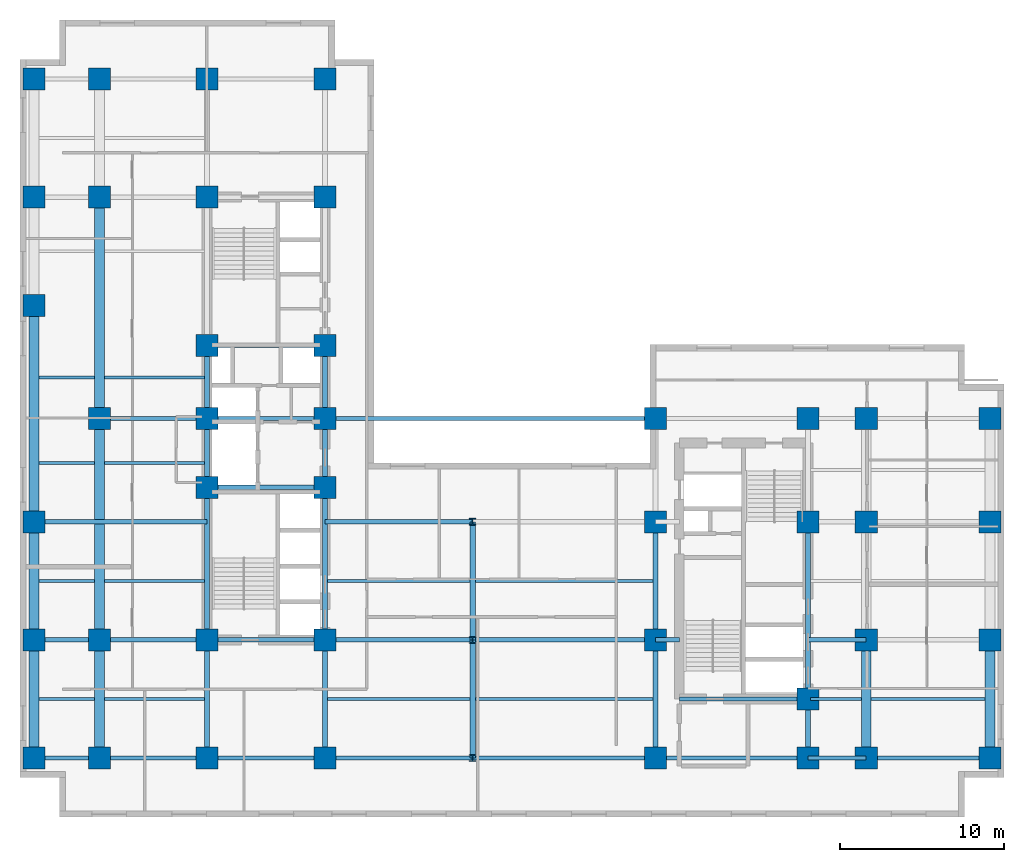
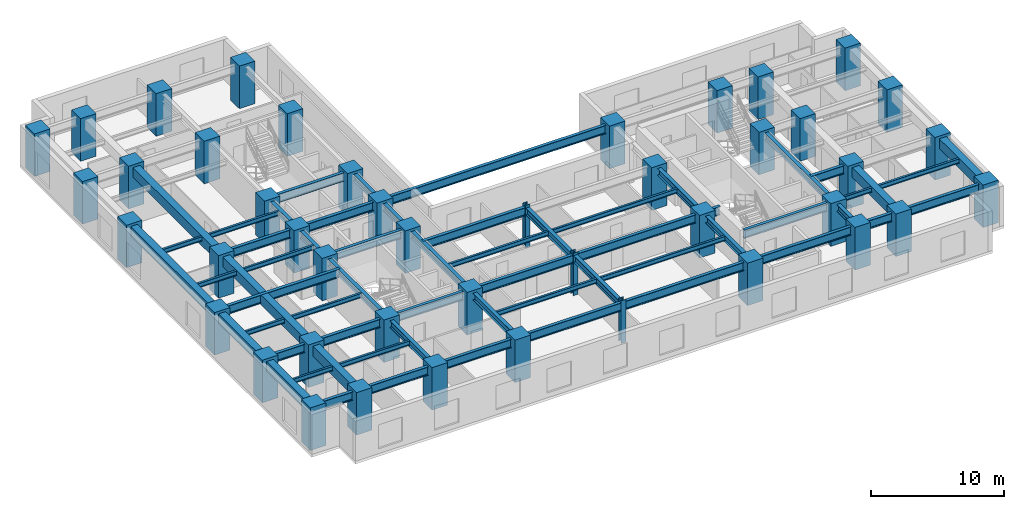
# One storey, part 1 of 10: 59 beams, 44 columns.
"""IFC4 building model written with IfcOpenShell, lengths in metres."""

from ifc_helpers import new_model, entity, si_unit, converted_unit, direction, frame, origin_with_axes, origin_2d_with_axis, place, context, subcontext, project, spatial, rectangle, i_section, extrude, material, material_profile, profile_set, type_object, element, save


model = new_model("IFC4")

# Units and contexts
model_context = context("Model", 3, precision=1e-05, world=origin_with_axes(), true_north=direction((0.0, 1.0)))
body_context = subcontext(model_context, "Body", "Model", "MODEL_VIEW")
ifc_project = project(units=[si_unit("LENGTHUNIT", "METRE"), si_unit("AREAUNIT", "SQUARE_METRE"), si_unit("VOLUMEUNIT", "CUBIC_METRE"), converted_unit("PLANEANGLEUNIT", "DEGREE", entity("IfcPlaneAngleMeasure", 0.017453292519943295), si_unit("PLANEANGLEUNIT", "RADIAN"), dimensions=[0, 0, 0, 0, 0, 0, 0]), si_unit("MASSUNIT", "GRAM", prefix="KILO"), si_unit("THERMODYNAMICTEMPERATUREUNIT", "KELVIN")], contexts=[model_context])

# Site, building, storey
site_placement = place(None, origin_with_axes())
site = spatial("IfcSite", under=ifc_project, at=site_placement, CompositionType="ELEMENT")
building_placement = place(site_placement, origin_with_axes())
building = spatial("IfcBuilding", under=site, at=building_placement, Name="Varnlund Millrace Tower", CompositionType="ELEMENT")
storey_placement = place(building_placement, frame((0.0, 0.0, 48.3), z_axis=(0.0, 0.0, 1.0), x_axis=(1.0, 0.0, 0.0)))
storey = spatial("IfcBuildingStorey", under=building, at=storey_placement, Name="L11", CompositionType="ELEMENT", Elevation=48.3)

# Columns
ifc_material_1 = material(Name="Steel ASTM A913 Grade 65", Category="steel")
ifc_material_profile_1 = material_profile(ifc_material_1, i_section(OverallWidth=0.406, OverallDepth=0.416, WebThickness=0.0298, FlangeThickness=0.048, FilletRadius=0.022, at=origin_2d_with_axis()), Name="Steel ASTM A913 Grade 65")
ifc_profile_set_1 = profile_set([ifc_material_profile_1], Name="Steel ASTM A913 Grade 65")
column_type_1 = type_object("IfcColumnType", Name="Type-Col-Int-W14X257", PredefinedType="COLUMN", material=ifc_profile_set_1)
for number, where, z_axis, x_axis, name in (
    (1, (27.6, 3.6, 0.0), (0.0, 0.0, 1.0), (1.0, 0.0, 0.0), "Type-Col-Int-W14X257"),
    (2, (27.6, 10.8, 0.0), (0.0, 0.0, 1.0), (1.0, 0.0, 0.0), "Type-Col-Int-W14X257"),
    (3, (27.6, 18.0, 0.0), (0.0, 0.0, 1.0), (1.0, 0.0, 0.0), "Type-Col-Int-W14X257"),
):
    element("IfcColumn", number, at=place(storey_placement, frame(where, z_axis=z_axis, x_axis=x_axis)), inside=storey, type_object=column_type_1, Name=name, PredefinedType="COLUMN", context=body_context, shape_type="SweptSolid", body=[
        extrude(i_section(OverallWidth=0.406, OverallDepth=0.416, WebThickness=0.0298, FlangeThickness=0.048, FilletRadius=0.022, at=origin_2d_with_axis()), origin_with_axes(), (0.0, 0.0, 1.0), 3.9),
    ])
ifc_material_2 = material(Name="Concrete C80/95", Category="concrete")
ifc_material_profile_2 = material_profile(ifc_material_2, rectangle(XDim=1.35, YDim=1.35, at=origin_2d_with_axis()), Name="Concrete C80/95")
ifc_profile_set_2 = profile_set([ifc_material_profile_2], Name="Concrete C80/95")
column_type_2 = type_object("IfcColumnType", Name="Type-Col-RC1350-C80", PredefinedType="COLUMN", material=ifc_profile_set_2)
for number, where, z_axis, x_axis, name in (
    (4, (11.4, 3.6, 0.0), (0.0, 0.0, 1.0), (1.0, 0.0, 0.0), "Type-Col-RC1350-C80"),
    (5, (11.4, 10.8, 0.0), (0.0, 0.0, 1.0), (1.0, 0.0, 0.0), "Type-Col-RC1350-C80"),
    (6, (11.4, 20.1, 0.0), (0.0, 0.0, 1.0), (1.0, 0.0, 0.0), "Type-Col-RC1350-C80"),
    (7, (11.4, 24.3, 0.0), (0.0, 0.0, 1.0), (1.0, 0.0, 0.0), "Type-Col-RC1350-C80"),
    (8, (11.4, 28.75, 0.0), (0.0, 0.0, 1.0), (1.0, 0.0, 0.0), "Type-Col-RC1350-C80"),
    (9, (11.4, 37.8, 0.0), (0.0, 0.0, 1.0), (1.0, 0.0, 0.0), "Type-Col-RC1350-C80"),
    (10, (11.4, 45.0, 0.0), (0.0, 0.0, 1.0), (1.0, 0.0, 0.0), "Type-Col-RC1350-C80"),
    (11, (18.6, 3.6, 0.0), (0.0, 0.0, 1.0), (1.0, 0.0, 0.0), "Type-Col-RC1350-C80"),
    (12, (18.6, 10.8, 0.0), (0.0, 0.0, 1.0), (1.0, 0.0, 0.0), "Type-Col-RC1350-C80"),
    (13, (18.6, 20.1, 0.0), (0.0, 0.0, 1.0), (1.0, 0.0, 0.0), "Type-Col-RC1350-C80"),
    (14, (18.6, 24.3, 0.0), (0.0, 0.0, 1.0), (1.0, 0.0, 0.0), "Type-Col-RC1350-C80"),
    (15, (18.6, 28.75, 0.0), (0.0, 0.0, 1.0), (1.0, 0.0, 0.0), "Type-Col-RC1350-C80"),
    (16, (18.6, 37.8, 0.0), (0.0, 0.0, 1.0), (1.0, 0.0, 0.0), "Type-Col-RC1350-C80"),
    (17, (18.6, 45.0, 0.0), (0.0, 0.0, 1.0), (1.0, 0.0, 0.0), "Type-Col-RC1350-C80"),
    (18, (4.85, 3.6, 0.0), (0.0, 0.0, 1.0), (1.0, 0.0, 0.0), "Type-Col-RC1350-C80"),
    (19, (4.85, 10.8, 0.0), (0.0, 0.0, 1.0), (1.0, 0.0, 0.0), "Type-Col-RC1350-C80"),
    (20, (4.85, 24.3, 0.0), (0.0, 0.0, 1.0), (1.0, 0.0, 0.0), "Type-Col-RC1350-C80"),
    (21, (4.85, 37.8, 0.0), (0.0, 0.0, 1.0), (1.0, 0.0, 0.0), "Type-Col-RC1350-C80"),
    (22, (4.85, 45.0, 0.0), (0.0, 0.0, 1.0), (1.0, 0.0, 0.0), "Type-Col-RC1350-C80"),
    (23, (0.85, 3.6, 0.0), (0.0, 0.0, 1.0), (1.0, 0.0, 0.0), "Type-Col-RC1350-C80"),
    (24, (0.85, 10.8, 0.0), (0.0, 0.0, 1.0), (1.0, 0.0, 0.0), "Type-Col-RC1350-C80"),
    (25, (0.85, 18.0, 0.0), (0.0, 0.0, 1.0), (1.0, 0.0, 0.0), "Type-Col-RC1350-C80"),
    (26, (0.85, 31.2, 0.0), (0.0, 0.0, 1.0), (1.0, 0.0, 0.0), "Type-Col-RC1350-C80"),
    (27, (0.85, 37.8, 0.0), (0.0, 0.0, 1.0), (1.0, 0.0, 0.0), "Type-Col-RC1350-C80"),
    (28, (0.85, 45.0, 0.0), (0.0, 0.0, 1.0), (1.0, 0.0, 0.0), "Type-Col-RC1350-C80"),
    (29, (38.75, 3.6, 0.0), (0.0, 0.0, 1.0), (1.0, 0.0, 0.0), "Type-Col-RC1350-C80"),
    (30, (38.75, 10.8, 0.0), (0.0, 0.0, 1.0), (1.0, 0.0, 0.0), "Type-Col-RC1350-C80"),
    (31, (38.75, 18.0, 0.0), (0.0, 0.0, 1.0), (1.0, 0.0, 0.0), "Type-Col-RC1350-C80"),
    (32, (38.75, 24.3, 0.0), (0.0, 0.0, 1.0), (1.0, 0.0, 0.0), "Type-Col-RC1350-C80"),
    (33, (48.05, 3.6, 0.0), (0.0, 0.0, 1.0), (1.0, 0.0, 0.0), "Type-Col-RC1350-C80"),
    (34, (48.05, 7.2, 0.0), (0.0, 0.0, 1.0), (1.0, 0.0, 0.0), "Type-Col-RC1350-C80"),
    (35, (48.05, 18.0, 0.0), (0.0, 0.0, 1.0), (1.0, 0.0, 0.0), "Type-Col-RC1350-C80"),
    (36, (48.05, 24.3, 0.0), (0.0, 0.0, 1.0), (1.0, 0.0, 0.0), "Type-Col-RC1350-C80"),
    (37, (51.6, 3.6, 0.0), (0.0, 0.0, 1.0), (1.0, 0.0, 0.0), "Type-Col-RC1350-C80"),
    (38, (51.6, 10.8, 0.0), (0.0, 0.0, 1.0), (1.0, 0.0, 0.0), "Type-Col-RC1350-C80"),
    (39, (51.6, 18.0, 0.0), (0.0, 0.0, 1.0), (1.0, 0.0, 0.0), "Type-Col-RC1350-C80"),
    (40, (51.6, 24.3, 0.0), (0.0, 0.0, 1.0), (1.0, 0.0, 0.0), "Type-Col-RC1350-C80"),
    (41, (59.15, 3.6, 0.0), (0.0, 0.0, 1.0), (1.0, 0.0, 0.0), "Type-Col-RC1350-C80"),
    (42, (59.15, 10.8, 0.0), (0.0, 0.0, 1.0), (1.0, 0.0, 0.0), "Type-Col-RC1350-C80"),
    (43, (59.15, 18.0, 0.0), (0.0, 0.0, 1.0), (1.0, 0.0, 0.0), "Type-Col-RC1350-C80"),
    (44, (59.15, 24.3, 0.0), (0.0, 0.0, 1.0), (1.0, 0.0, 0.0), "Type-Col-RC1350-C80"),
):
    element("IfcColumn", number, at=place(storey_placement, frame(where, z_axis=z_axis, x_axis=x_axis)), inside=storey, type_object=column_type_2, Name=name, PredefinedType="COLUMN", context=body_context, shape_type="SweptSolid", body=[
        extrude(rectangle(XDim=1.35, YDim=1.35, at=origin_2d_with_axis()), origin_with_axes(), (0.0, 0.0, 1.0), 3.9),
    ])

# Beams
ifc_material_3 = material(Name="Steel ASTM A992 Grade 50", Category="steel")
ifc_material_profile_3 = material_profile(ifc_material_3, i_section(OverallWidth=0.328, OverallDepth=0.628, WebThickness=0.0165, FlangeThickness=0.0277, FilletRadius=0.018, at=origin_2d_with_axis()), Name="Steel ASTM A992 Grade 50")
ifc_profile_set_3 = profile_set([ifc_material_profile_3], Name="Steel ASTM A992 Grade 50")
beam_type_1 = type_object("IfcBeamType", Name="Type-Girder-W24X146", PredefinedType="USERDEFINED", material=ifc_profile_set_3)
beam_1_placement = place(storey_placement, frame((11.4, 3.6, 3.346), z_axis=(0.0, 1.0, 0.0), x_axis=(-1.0, 0.0, 0.0)))
element("IfcBeam", 45, at=beam_1_placement, inside=storey, type_object=beam_type_1, Name="Type-Girder-W24X146", ObjectType="GIRDER", PredefinedType="USERDEFINED", context=body_context, shape_type="SweptSolid", body=[
    extrude(i_section(OverallWidth=0.328, OverallDepth=0.628, WebThickness=0.0165, FlangeThickness=0.0277, FilletRadius=0.018, at=origin_2d_with_axis()), origin_with_axes(), (0.0, 0.0, 1.0), 7.2),
])
beam_2_placement = place(storey_placement, frame((11.4, 10.8, 3.346), z_axis=(0.0, 1.0, 0.0), x_axis=(-1.0, 0.0, 0.0)))
element("IfcBeam", 46, at=beam_2_placement, inside=storey, type_object=beam_type_1, Name="Type-Girder-W24X146", ObjectType="GIRDER", PredefinedType="USERDEFINED", context=body_context, shape_type="SweptSolid", body=[
    extrude(i_section(OverallWidth=0.328, OverallDepth=0.628, WebThickness=0.0165, FlangeThickness=0.0277, FilletRadius=0.018, at=origin_2d_with_axis()), origin_with_axes(), (0.0, 0.0, 1.0), 9.3),
])
beam_3_placement = place(storey_placement, frame((11.4, 20.1, 3.346), z_axis=(0.0, 1.0, 0.0), x_axis=(-1.0, 0.0, 0.0)))
element("IfcBeam", 47, at=beam_3_placement, inside=storey, type_object=beam_type_1, Name="Type-Girder-W24X146", ObjectType="GIRDER", PredefinedType="USERDEFINED", context=body_context, shape_type="SweptSolid", body=[
    extrude(i_section(OverallWidth=0.328, OverallDepth=0.628, WebThickness=0.0165, FlangeThickness=0.0277, FilletRadius=0.018, at=origin_2d_with_axis()), origin_with_axes(), (0.0, 0.0, 1.0), 4.2),
])
beam_4_placement = place(storey_placement, frame((11.4, 24.3, 3.346), z_axis=(0.0, 1.0, 0.0), x_axis=(-1.0, 0.0, 0.0)))
element("IfcBeam", 48, at=beam_4_placement, inside=storey, type_object=beam_type_1, Name="Type-Girder-W24X146", ObjectType="GIRDER", PredefinedType="USERDEFINED", context=body_context, shape_type="SweptSolid", body=[
    extrude(i_section(OverallWidth=0.328, OverallDepth=0.628, WebThickness=0.0165, FlangeThickness=0.0277, FilletRadius=0.018, at=origin_2d_with_axis()), origin_with_axes(), (0.0, 0.0, 1.0), 4.45),
])
beam_5_placement = place(storey_placement, frame((18.6, 3.6, 3.346), z_axis=(0.0, 1.0, 0.0), x_axis=(-1.0, 0.0, 0.0)))
element("IfcBeam", 49, at=beam_5_placement, inside=storey, type_object=beam_type_1, Name="Type-Girder-W24X146", ObjectType="GIRDER", PredefinedType="USERDEFINED", context=body_context, shape_type="SweptSolid", body=[
    extrude(i_section(OverallWidth=0.328, OverallDepth=0.628, WebThickness=0.0165, FlangeThickness=0.0277, FilletRadius=0.018, at=origin_2d_with_axis()), origin_with_axes(), (0.0, 0.0, 1.0), 7.2),
])
beam_6_placement = place(storey_placement, frame((18.6, 10.8, 3.346), z_axis=(0.0, 1.0, 0.0), x_axis=(-1.0, 0.0, 0.0)))
element("IfcBeam", 50, at=beam_6_placement, inside=storey, type_object=beam_type_1, Name="Type-Girder-W24X146", ObjectType="GIRDER", PredefinedType="USERDEFINED", context=body_context, shape_type="SweptSolid", body=[
    extrude(i_section(OverallWidth=0.328, OverallDepth=0.628, WebThickness=0.0165, FlangeThickness=0.0277, FilletRadius=0.018, at=origin_2d_with_axis()), origin_with_axes(), (0.0, 0.0, 1.0), 9.3),
])
beam_7_placement = place(storey_placement, frame((18.6, 20.1, 3.346), z_axis=(0.0, 1.0, 0.0), x_axis=(-1.0, 0.0, 0.0)))
element("IfcBeam", 51, at=beam_7_placement, inside=storey, type_object=beam_type_1, Name="Type-Girder-W24X146", ObjectType="GIRDER", PredefinedType="USERDEFINED", context=body_context, shape_type="SweptSolid", body=[
    extrude(i_section(OverallWidth=0.328, OverallDepth=0.628, WebThickness=0.0165, FlangeThickness=0.0277, FilletRadius=0.018, at=origin_2d_with_axis()), origin_with_axes(), (0.0, 0.0, 1.0), 4.2),
])
beam_8_placement = place(storey_placement, frame((18.6, 24.3, 3.346), z_axis=(0.0, 1.0, 0.0), x_axis=(-1.0, 0.0, 0.0)))
element("IfcBeam", 52, at=beam_8_placement, inside=storey, type_object=beam_type_1, Name="Type-Girder-W24X146", ObjectType="GIRDER", PredefinedType="USERDEFINED", context=body_context, shape_type="SweptSolid", body=[
    extrude(i_section(OverallWidth=0.328, OverallDepth=0.628, WebThickness=0.0165, FlangeThickness=0.0277, FilletRadius=0.018, at=origin_2d_with_axis()), origin_with_axes(), (0.0, 0.0, 1.0), 4.45),
])
for number, where, z_axis, x_axis, name in (
    (53, (27.6, 3.6, 3.346), (0.0, 1.0, 0.0), (-1.0, 0.0, 0.0), "Type-Girder-W24X146"),
    (54, (27.6, 10.8, 3.346), (0.0, 1.0, 0.0), (-1.0, 0.0, 0.0), "Type-Girder-W24X146"),
    (55, (38.75, 3.6, 3.346), (0.0, 1.0, 0.0), (-1.0, 0.0, 0.0), "Type-Girder-W24X146"),
    (56, (38.75, 10.8, 3.346), (0.0, 1.0, 0.0), (-1.0, 0.0, 0.0), "Type-Girder-W24X146"),
):
    element("IfcBeam", number, at=place(storey_placement, frame(where, z_axis=z_axis, x_axis=x_axis)), inside=storey, type_object=beam_type_1, Name=name, ObjectType="GIRDER", PredefinedType="USERDEFINED", context=body_context, shape_type="SweptSolid", body=[
        extrude(i_section(OverallWidth=0.328, OverallDepth=0.628, WebThickness=0.0165, FlangeThickness=0.0277, FilletRadius=0.018, at=origin_2d_with_axis()), origin_with_axes(), (0.0, 0.0, 1.0), 7.2),
    ])
beam_9_placement = place(storey_placement, frame((48.05, 3.6, 3.346), z_axis=(0.0, 1.0, 0.0), x_axis=(-1.0, 0.0, 0.0)))
element("IfcBeam", 57, at=beam_9_placement, inside=storey, type_object=beam_type_1, Name="Type-Girder-W24X146", ObjectType="GIRDER", PredefinedType="USERDEFINED", context=body_context, shape_type="SweptSolid", body=[
    extrude(i_section(OverallWidth=0.328, OverallDepth=0.628, WebThickness=0.0165, FlangeThickness=0.0277, FilletRadius=0.018, at=origin_2d_with_axis()), origin_with_axes(), (0.0, 0.0, 1.0), 3.6),
])
beam_10_placement = place(storey_placement, frame((48.05, 7.2, 3.346), z_axis=(0.0, 1.0, 0.0), x_axis=(-1.0, 0.0, 0.0)))
element("IfcBeam", 58, at=beam_10_placement, inside=storey, type_object=beam_type_1, Name="Type-Girder-W24X146", ObjectType="GIRDER", PredefinedType="USERDEFINED", context=body_context, shape_type="SweptSolid", body=[
    extrude(i_section(OverallWidth=0.328, OverallDepth=0.628, WebThickness=0.0165, FlangeThickness=0.0277, FilletRadius=0.018, at=origin_2d_with_axis()), origin_with_axes(), (0.0, 0.0, 1.0), 10.8),
])
ifc_material_profile_4 = material_profile(ifc_material_3, i_section(OverallWidth=0.266, OverallDepth=0.779, WebThickness=0.0165, FlangeThickness=0.03, FilletRadius=0.02, at=origin_2d_with_axis()), Name="Steel ASTM A992 Grade 50")
ifc_profile_set_4 = profile_set([ifc_material_profile_4], Name="Steel ASTM A992 Grade 50")
beam_type_2 = type_object("IfcBeamType", Name="Type-Girder-W30X148", PredefinedType="USERDEFINED", material=ifc_profile_set_4)
beam_11_placement = place(storey_placement, frame((0.85, 3.6, 3.2705), z_axis=(1.0, 0.0, 0.0), x_axis=(0.0, 1.0, 0.0)))
element("IfcBeam", 59, at=beam_11_placement, inside=storey, type_object=beam_type_2, Name="Type-Girder-W30X148", ObjectType="GIRDER", PredefinedType="USERDEFINED", context=body_context, shape_type="SweptSolid", body=[
    extrude(i_section(OverallWidth=0.266, OverallDepth=0.779, WebThickness=0.0165, FlangeThickness=0.03, FilletRadius=0.02, at=origin_2d_with_axis()), origin_with_axes(), (0.0, 0.0, 1.0), 4.0),
])
beam_12_placement = place(storey_placement, frame((4.85, 3.6, 3.2705), z_axis=(1.0, 0.0, 0.0), x_axis=(0.0, 1.0, 0.0)))
element("IfcBeam", 60, at=beam_12_placement, inside=storey, type_object=beam_type_2, Name="Type-Girder-W30X148", ObjectType="GIRDER", PredefinedType="USERDEFINED", context=body_context, shape_type="SweptSolid", body=[
    extrude(i_section(OverallWidth=0.266, OverallDepth=0.779, WebThickness=0.0165, FlangeThickness=0.03, FilletRadius=0.02, at=origin_2d_with_axis()), origin_with_axes(), (0.0, 0.0, 1.0), 6.55),
])
beam_13_placement = place(storey_placement, frame((11.4, 3.6, 3.2705), z_axis=(1.0, 0.0, 0.0), x_axis=(0.0, 1.0, 0.0)))
element("IfcBeam", 61, at=beam_13_placement, inside=storey, type_object=beam_type_2, Name="Type-Girder-W30X148", ObjectType="GIRDER", PredefinedType="USERDEFINED", context=body_context, shape_type="SweptSolid", body=[
    extrude(i_section(OverallWidth=0.266, OverallDepth=0.779, WebThickness=0.0165, FlangeThickness=0.03, FilletRadius=0.02, at=origin_2d_with_axis()), origin_with_axes(), (0.0, 0.0, 1.0), 7.2),
])
beam_14_placement = place(storey_placement, frame((18.6, 3.6, 3.2705), z_axis=(1.0, 0.0, 0.0), x_axis=(0.0, 1.0, 0.0)))
element("IfcBeam", 62, at=beam_14_placement, inside=storey, type_object=beam_type_2, Name="Type-Girder-W30X148", ObjectType="GIRDER", PredefinedType="USERDEFINED", context=body_context, shape_type="SweptSolid", body=[
    extrude(i_section(OverallWidth=0.266, OverallDepth=0.779, WebThickness=0.0165, FlangeThickness=0.03, FilletRadius=0.02, at=origin_2d_with_axis()), origin_with_axes(), (0.0, 0.0, 1.0), 9.0),
])
beam_15_placement = place(storey_placement, frame((27.6, 3.6, 3.2705), z_axis=(1.0, 0.0, 0.0), x_axis=(0.0, 1.0, 0.0)))
element("IfcBeam", 63, at=beam_15_placement, inside=storey, type_object=beam_type_2, Name="Type-Girder-W30X148", ObjectType="GIRDER", PredefinedType="USERDEFINED", context=body_context, shape_type="SweptSolid", body=[
    extrude(i_section(OverallWidth=0.266, OverallDepth=0.779, WebThickness=0.0165, FlangeThickness=0.03, FilletRadius=0.02, at=origin_2d_with_axis()), origin_with_axes(), (0.0, 0.0, 1.0), 11.15),
])
beam_16_placement = place(storey_placement, frame((38.75, 3.6, 3.2705), z_axis=(1.0, 0.0, 0.0), x_axis=(0.0, 1.0, 0.0)))
element("IfcBeam", 64, at=beam_16_placement, inside=storey, type_object=beam_type_2, Name="Type-Girder-W30X148", ObjectType="GIRDER", PredefinedType="USERDEFINED", context=body_context, shape_type="SweptSolid", body=[
    extrude(i_section(OverallWidth=0.266, OverallDepth=0.779, WebThickness=0.0165, FlangeThickness=0.03, FilletRadius=0.02, at=origin_2d_with_axis()), origin_with_axes(), (0.0, 0.0, 1.0), 9.3),
])
beam_17_placement = place(storey_placement, frame((48.05, 3.6, 3.2705), z_axis=(1.0, 0.0, 0.0), x_axis=(0.0, 1.0, 0.0)))
element("IfcBeam", 65, at=beam_17_placement, inside=storey, type_object=beam_type_2, Name="Type-Girder-W30X148", ObjectType="GIRDER", PredefinedType="USERDEFINED", context=body_context, shape_type="SweptSolid", body=[
    extrude(i_section(OverallWidth=0.266, OverallDepth=0.779, WebThickness=0.0165, FlangeThickness=0.03, FilletRadius=0.02, at=origin_2d_with_axis()), origin_with_axes(), (0.0, 0.0, 1.0), 3.55),
])
beam_18_placement = place(storey_placement, frame((51.6, 3.6, 3.2705), z_axis=(1.0, 0.0, 0.0), x_axis=(0.0, 1.0, 0.0)))
element("IfcBeam", 66, at=beam_18_placement, inside=storey, type_object=beam_type_2, Name="Type-Girder-W30X148", ObjectType="GIRDER", PredefinedType="USERDEFINED", context=body_context, shape_type="SweptSolid", body=[
    extrude(i_section(OverallWidth=0.266, OverallDepth=0.779, WebThickness=0.0165, FlangeThickness=0.03, FilletRadius=0.02, at=origin_2d_with_axis()), origin_with_axes(), (0.0, 0.0, 1.0), 7.55),
])
beam_19_placement = place(storey_placement, frame((40.2, 7.2, 3.2705), z_axis=(1.0, 0.0, 0.0), x_axis=(0.0, 1.0, 0.0)))
element("IfcBeam", 67, at=beam_19_placement, inside=storey, type_object=beam_type_2, Name="Type-Girder-W30X148", ObjectType="GIRDER", PredefinedType="USERDEFINED", context=body_context, shape_type="SweptSolid", body=[
    extrude(i_section(OverallWidth=0.266, OverallDepth=0.779, WebThickness=0.0165, FlangeThickness=0.03, FilletRadius=0.02, at=origin_2d_with_axis()), origin_with_axes(), (0.0, 0.0, 1.0), 7.85),
])
beam_20_placement = place(storey_placement, frame((0.85, 10.8, 3.2705), z_axis=(1.0, 0.0, 0.0), x_axis=(0.0, 1.0, 0.0)))
element("IfcBeam", 68, at=beam_20_placement, inside=storey, type_object=beam_type_2, Name="Type-Girder-W30X148", ObjectType="GIRDER", PredefinedType="USERDEFINED", context=body_context, shape_type="SweptSolid", body=[
    extrude(i_section(OverallWidth=0.266, OverallDepth=0.779, WebThickness=0.0165, FlangeThickness=0.03, FilletRadius=0.02, at=origin_2d_with_axis()), origin_with_axes(), (0.0, 0.0, 1.0), 4.0),
])
beam_21_placement = place(storey_placement, frame((4.85, 10.8, 3.2705), z_axis=(1.0, 0.0, 0.0), x_axis=(0.0, 1.0, 0.0)))
element("IfcBeam", 69, at=beam_21_placement, inside=storey, type_object=beam_type_2, Name="Type-Girder-W30X148", ObjectType="GIRDER", PredefinedType="USERDEFINED", context=body_context, shape_type="SweptSolid", body=[
    extrude(i_section(OverallWidth=0.266, OverallDepth=0.779, WebThickness=0.0165, FlangeThickness=0.03, FilletRadius=0.02, at=origin_2d_with_axis()), origin_with_axes(), (0.0, 0.0, 1.0), 6.55),
])
beam_22_placement = place(storey_placement, frame((11.4, 10.8, 3.2705), z_axis=(1.0, 0.0, 0.0), x_axis=(0.0, 1.0, 0.0)))
element("IfcBeam", 70, at=beam_22_placement, inside=storey, type_object=beam_type_2, Name="Type-Girder-W30X148", ObjectType="GIRDER", PredefinedType="USERDEFINED", context=body_context, shape_type="SweptSolid", body=[
    extrude(i_section(OverallWidth=0.266, OverallDepth=0.779, WebThickness=0.0165, FlangeThickness=0.03, FilletRadius=0.02, at=origin_2d_with_axis()), origin_with_axes(), (0.0, 0.0, 1.0), 7.2),
])
beam_23_placement = place(storey_placement, frame((18.6, 10.8, 3.2705), z_axis=(1.0, 0.0, 0.0), x_axis=(0.0, 1.0, 0.0)))
element("IfcBeam", 71, at=beam_23_placement, inside=storey, type_object=beam_type_2, Name="Type-Girder-W30X148", ObjectType="GIRDER", PredefinedType="USERDEFINED", context=body_context, shape_type="SweptSolid", body=[
    extrude(i_section(OverallWidth=0.266, OverallDepth=0.779, WebThickness=0.0165, FlangeThickness=0.03, FilletRadius=0.02, at=origin_2d_with_axis()), origin_with_axes(), (0.0, 0.0, 1.0), 9.0),
])
beam_24_placement = place(storey_placement, frame((27.6, 10.8, 3.2705), z_axis=(1.0, 0.0, 0.0), x_axis=(0.0, 1.0, 0.0)))
element("IfcBeam", 72, at=beam_24_placement, inside=storey, type_object=beam_type_2, Name="Type-Girder-W30X148", ObjectType="GIRDER", PredefinedType="USERDEFINED", context=body_context, shape_type="SweptSolid", body=[
    extrude(i_section(OverallWidth=0.266, OverallDepth=0.779, WebThickness=0.0165, FlangeThickness=0.03, FilletRadius=0.02, at=origin_2d_with_axis()), origin_with_axes(), (0.0, 0.0, 1.0), 11.15),
])
beam_25_placement = place(storey_placement, frame((38.75, 10.8, 3.2705), z_axis=(1.0, 0.0, 0.0), x_axis=(0.0, 1.0, 0.0)))
element("IfcBeam", 73, at=beam_25_placement, inside=storey, type_object=beam_type_2, Name="Type-Girder-W30X148", ObjectType="GIRDER", PredefinedType="USERDEFINED", context=body_context, shape_type="SweptSolid", body=[
    extrude(i_section(OverallWidth=0.266, OverallDepth=0.779, WebThickness=0.0165, FlangeThickness=0.03, FilletRadius=0.02, at=origin_2d_with_axis()), origin_with_axes(), (0.0, 0.0, 1.0), 1.45),
])
beam_26_placement = place(storey_placement, frame((48.05, 10.8, 3.2705), z_axis=(1.0, 0.0, 0.0), x_axis=(0.0, 1.0, 0.0)))
element("IfcBeam", 74, at=beam_26_placement, inside=storey, type_object=beam_type_2, Name="Type-Girder-W30X148", ObjectType="GIRDER", PredefinedType="USERDEFINED", context=body_context, shape_type="SweptSolid", body=[
    extrude(i_section(OverallWidth=0.266, OverallDepth=0.779, WebThickness=0.0165, FlangeThickness=0.03, FilletRadius=0.02, at=origin_2d_with_axis()), origin_with_axes(), (0.0, 0.0, 1.0), 3.55),
])
beam_27_placement = place(storey_placement, frame((0.85, 18.0, 3.2705), z_axis=(1.0, 0.0, 0.0), x_axis=(0.0, 1.0, 0.0)))
element("IfcBeam", 75, at=beam_27_placement, inside=storey, type_object=beam_type_2, Name="Type-Girder-W30X148", ObjectType="GIRDER", PredefinedType="USERDEFINED", context=body_context, shape_type="SweptSolid", body=[
    extrude(i_section(OverallWidth=0.266, OverallDepth=0.779, WebThickness=0.0165, FlangeThickness=0.03, FilletRadius=0.02, at=origin_2d_with_axis()), origin_with_axes(), (0.0, 0.0, 1.0), 10.55),
])
beam_28_placement = place(storey_placement, frame((18.6, 18.0, 3.2705), z_axis=(1.0, 0.0, 0.0), x_axis=(0.0, 1.0, 0.0)))
element("IfcBeam", 76, at=beam_28_placement, inside=storey, type_object=beam_type_2, Name="Type-Girder-W30X148", ObjectType="GIRDER", PredefinedType="USERDEFINED", context=body_context, shape_type="SweptSolid", body=[
    extrude(i_section(OverallWidth=0.266, OverallDepth=0.779, WebThickness=0.0165, FlangeThickness=0.03, FilletRadius=0.02, at=origin_2d_with_axis()), origin_with_axes(), (0.0, 0.0, 1.0), 9.0),
])
beam_29_placement = place(storey_placement, frame((11.4, 20.1, 3.2705), z_axis=(1.0, 0.0, 0.0), x_axis=(0.0, 1.0, 0.0)))
element("IfcBeam", 77, at=beam_29_placement, inside=storey, type_object=beam_type_2, Name="Type-Girder-W30X148", ObjectType="GIRDER", PredefinedType="USERDEFINED", context=body_context, shape_type="SweptSolid", body=[
    extrude(i_section(OverallWidth=0.266, OverallDepth=0.779, WebThickness=0.0165, FlangeThickness=0.03, FilletRadius=0.02, at=origin_2d_with_axis()), origin_with_axes(), (0.0, 0.0, 1.0), 7.2),
])
beam_30_placement = place(storey_placement, frame((4.85, 24.3, 3.2705), z_axis=(1.0, 0.0, 0.0), x_axis=(0.0, 1.0, 0.0)))
element("IfcBeam", 78, at=beam_30_placement, inside=storey, type_object=beam_type_2, Name="Type-Girder-W30X148", ObjectType="GIRDER", PredefinedType="USERDEFINED", context=body_context, shape_type="SweptSolid", body=[
    extrude(i_section(OverallWidth=0.266, OverallDepth=0.779, WebThickness=0.0165, FlangeThickness=0.03, FilletRadius=0.02, at=origin_2d_with_axis()), origin_with_axes(), (0.0, 0.0, 1.0), 6.55),
])
beam_31_placement = place(storey_placement, frame((11.4, 24.3, 3.2705), z_axis=(1.0, 0.0, 0.0), x_axis=(0.0, 1.0, 0.0)))
element("IfcBeam", 79, at=beam_31_placement, inside=storey, type_object=beam_type_2, Name="Type-Girder-W30X148", ObjectType="GIRDER", PredefinedType="USERDEFINED", context=body_context, shape_type="SweptSolid", body=[
    extrude(i_section(OverallWidth=0.266, OverallDepth=0.779, WebThickness=0.0165, FlangeThickness=0.03, FilletRadius=0.02, at=origin_2d_with_axis()), origin_with_axes(), (0.0, 0.0, 1.0), 7.2),
])
beam_32_placement = place(storey_placement, frame((18.6, 24.3, 3.2705), z_axis=(1.0, 0.0, 0.0), x_axis=(0.0, 1.0, 0.0)))
element("IfcBeam", 80, at=beam_32_placement, inside=storey, type_object=beam_type_2, Name="Type-Girder-W30X148", ObjectType="GIRDER", PredefinedType="USERDEFINED", context=body_context, shape_type="SweptSolid", body=[
    extrude(i_section(OverallWidth=0.266, OverallDepth=0.779, WebThickness=0.0165, FlangeThickness=0.03, FilletRadius=0.02, at=origin_2d_with_axis()), origin_with_axes(), (0.0, 0.0, 1.0), 20.15),
])
beam_33_placement = place(storey_placement, frame((11.4, 28.75, 3.2705), z_axis=(1.0, 0.0, 0.0), x_axis=(0.0, 1.0, 0.0)))
element("IfcBeam", 81, at=beam_33_placement, inside=storey, type_object=beam_type_2, Name="Type-Girder-W30X148", ObjectType="GIRDER", PredefinedType="USERDEFINED", context=body_context, shape_type="SweptSolid", body=[
    extrude(i_section(OverallWidth=0.266, OverallDepth=0.779, WebThickness=0.0165, FlangeThickness=0.03, FilletRadius=0.02, at=origin_2d_with_axis()), origin_with_axes(), (0.0, 0.0, 1.0), 7.2),
])
ifc_material_profile_5 = material_profile(ifc_material_3, i_section(OverallWidth=0.181, OverallDepth=0.417, WebThickness=0.0109, FlangeThickness=0.0182, FilletRadius=0.013, at=origin_2d_with_axis()), Name="Steel ASTM A992 Grade 50")
ifc_profile_set_5 = profile_set([ifc_material_profile_5], Name="Steel ASTM A992 Grade 50")
beam_type_3 = type_object("IfcBeamType", Name="Type-Joist-W16X57", PredefinedType="JOIST", material=ifc_profile_set_5)
for number, where, z_axis, x_axis, name in (
    (82, (1.15, 7.2, 3.4515), (1.0, 0.0, 0.0), (0.0, 1.0, 0.0), "Type-Joist-W16X57"),
    (83, (1.15, 14.4, 3.4515), (1.0, 0.0, 0.0), (0.0, 1.0, 0.0), "Type-Joist-W16X57"),
    (84, (1.15, 21.6, 3.4515), (1.0, 0.0, 0.0), (0.0, 1.0, 0.0), "Type-Joist-W16X57"),
    (85, (1.15, 26.8, 3.4515), (1.0, 0.0, 0.0), (0.0, 1.0, 0.0), "Type-Joist-W16X57"),
):
    element("IfcBeam", number, at=place(storey_placement, frame(where, z_axis=z_axis, x_axis=x_axis)), inside=storey, type_object=beam_type_3, Name=name, PredefinedType="JOIST", context=body_context, shape_type="SweptSolid", body=[
        extrude(i_section(OverallWidth=0.181, OverallDepth=0.417, WebThickness=0.0109, FlangeThickness=0.0182, FilletRadius=0.013, at=origin_2d_with_axis()), origin_with_axes(), (0.0, 0.0, 1.0), 3.4),
    ])
for number, where, z_axis, x_axis, name in (
    (86, (5.15, 7.2, 3.4515), (1.0, 0.0, 0.0), (0.0, 1.0, 0.0), "Type-Joist-W16X57"),
    (87, (5.15, 14.4, 3.4515), (1.0, 0.0, 0.0), (0.0, 1.0, 0.0), "Type-Joist-W16X57"),
    (88, (5.15, 21.6, 3.4515), (1.0, 0.0, 0.0), (0.0, 1.0, 0.0), "Type-Joist-W16X57"),
    (89, (5.15, 26.8, 3.4515), (1.0, 0.0, 0.0), (0.0, 1.0, 0.0), "Type-Joist-W16X57"),
):
    element("IfcBeam", number, at=place(storey_placement, frame(where, z_axis=z_axis, x_axis=x_axis)), inside=storey, type_object=beam_type_3, Name=name, PredefinedType="JOIST", context=body_context, shape_type="SweptSolid", body=[
        extrude(i_section(OverallWidth=0.181, OverallDepth=0.417, WebThickness=0.0109, FlangeThickness=0.0182, FilletRadius=0.013, at=origin_2d_with_axis()), origin_with_axes(), (0.0, 0.0, 1.0), 6.086),
    ])
beam_34_placement = place(storey_placement, frame((48.214, 7.2, 3.4515), z_axis=(1.0, 0.0, 0.0), x_axis=(0.0, 1.0, 0.0)))
element("IfcBeam", 90, at=beam_34_placement, inside=storey, type_object=beam_type_3, Name="Type-Joist-W16X57", PredefinedType="JOIST", context=body_context, shape_type="SweptSolid", body=[
    extrude(i_section(OverallWidth=0.181, OverallDepth=0.417, WebThickness=0.0109, FlangeThickness=0.0182, FilletRadius=0.013, at=origin_2d_with_axis()), origin_with_axes(), (0.0, 0.0, 1.0), 3.086),
])
beam_35_placement = place(storey_placement, frame((51.9, 7.2, 3.4515), z_axis=(1.0, 0.0, 0.0), x_axis=(0.0, 1.0, 0.0)))
element("IfcBeam", 91, at=beam_35_placement, inside=storey, type_object=beam_type_3, Name="Type-Joist-W16X57", PredefinedType="JOIST", context=body_context, shape_type="SweptSolid", body=[
    extrude(i_section(OverallWidth=0.181, OverallDepth=0.417, WebThickness=0.0109, FlangeThickness=0.0182, FilletRadius=0.013, at=origin_2d_with_axis()), origin_with_axes(), (0.0, 0.0, 1.0), 6.95),
])
for number, where, z_axis, x_axis, name in (
    (92, (18.764, 7.2, 3.4515), (1.0, 0.0, 0.0), (0.0, 1.0, 0.0), "Type-Joist-W16X57"),
    (93, (18.764, 14.4, 3.4515), (1.0, 0.0, 0.0), (0.0, 1.0, 0.0), "Type-Joist-W16X57"),
):
    element("IfcBeam", number, at=place(storey_placement, frame(where, z_axis=z_axis, x_axis=x_axis)), inside=storey, type_object=beam_type_3, Name=name, PredefinedType="JOIST", context=body_context, shape_type="SweptSolid", body=[
        extrude(i_section(OverallWidth=0.181, OverallDepth=0.417, WebThickness=0.0109, FlangeThickness=0.0182, FilletRadius=0.013, at=origin_2d_with_axis()), origin_with_axes(), (0.0, 0.0, 1.0), 8.672),
    ])
for number, where, z_axis, x_axis, name in (
    (94, (27.764, 7.2, 3.4515), (1.0, 0.0, 0.0), (0.0, 1.0, 0.0), "Type-Joist-W16X57"),
    (95, (27.764, 14.4, 3.4515), (1.0, 0.0, 0.0), (0.0, 1.0, 0.0), "Type-Joist-W16X57"),
):
    element("IfcBeam", number, at=place(storey_placement, frame(where, z_axis=z_axis, x_axis=x_axis)), inside=storey, type_object=beam_type_3, Name=name, PredefinedType="JOIST", context=body_context, shape_type="SweptSolid", body=[
        extrude(i_section(OverallWidth=0.181, OverallDepth=0.417, WebThickness=0.0109, FlangeThickness=0.0182, FilletRadius=0.013, at=origin_2d_with_axis()), origin_with_axes(), (0.0, 0.0, 1.0), 10.822),
    ])
ifc_material_4 = material(Name="Concrete C70/85", Category="concrete")
ifc_material_profile_6 = material_profile(ifc_material_4, rectangle(XDim=0.6, YDim=0.9, at=origin_2d_with_axis()), Name="Concrete C70/85")
ifc_profile_set_6 = profile_set([ifc_material_profile_6], Name="Concrete C70/85")
beam_type_4 = type_object("IfcBeamType", Name="Type-Spandrel-RC600X900", PredefinedType="SPANDREL", material=ifc_profile_set_6)
for number, where, z_axis, x_axis, name in (
    (96, (0.85, 3.6, 3.21), (0.0, 1.0, 0.0), (-1.0, 0.0, 0.0), "Type-Spandrel-RC600X900"),
    (97, (0.85, 10.8, 3.21), (0.0, 1.0, 0.0), (-1.0, 0.0, 0.0), "Type-Spandrel-RC600X900"),
):
    element("IfcBeam", number, at=place(storey_placement, frame(where, z_axis=z_axis, x_axis=x_axis)), inside=storey, type_object=beam_type_4, Name=name, PredefinedType="SPANDREL", context=body_context, shape_type="SweptSolid", body=[
        extrude(rectangle(XDim=0.6, YDim=0.9, at=origin_2d_with_axis()), origin_with_axes(), (0.0, 0.0, 1.0), 7.2),
    ])
beam_36_placement = place(storey_placement, frame((0.85, 18.0, 3.21), z_axis=(0.0, 1.0, 0.0), x_axis=(-1.0, 0.0, 0.0)))
element("IfcBeam", 98, at=beam_36_placement, inside=storey, type_object=beam_type_4, Name="Type-Spandrel-RC600X900", PredefinedType="SPANDREL", context=body_context, shape_type="SweptSolid", body=[
    extrude(rectangle(XDim=0.6, YDim=0.9, at=origin_2d_with_axis()), origin_with_axes(), (0.0, 0.0, 1.0), 13.2),
])
beam_37_placement = place(storey_placement, frame((4.85, 3.6, 3.21), z_axis=(0.0, 1.0, 0.0), x_axis=(-1.0, 0.0, 0.0)))
element("IfcBeam", 99, at=beam_37_placement, inside=storey, type_object=beam_type_4, Name="Type-Spandrel-RC600X900", PredefinedType="SPANDREL", context=body_context, shape_type="SweptSolid", body=[
    extrude(rectangle(XDim=0.6, YDim=0.9, at=origin_2d_with_axis()), origin_with_axes(), (0.0, 0.0, 1.0), 7.2),
])
for number, where, z_axis, x_axis, name in (
    (100, (4.85, 10.8, 3.21), (0.0, 1.0, 0.0), (-1.0, 0.0, 0.0), "Type-Spandrel-RC600X900"),
    (101, (4.85, 24.3, 3.21), (0.0, 1.0, 0.0), (-1.0, 0.0, 0.0), "Type-Spandrel-RC600X900"),
):
    element("IfcBeam", number, at=place(storey_placement, frame(where, z_axis=z_axis, x_axis=x_axis)), inside=storey, type_object=beam_type_4, Name=name, PredefinedType="SPANDREL", context=body_context, shape_type="SweptSolid", body=[
        extrude(rectangle(XDim=0.6, YDim=0.9, at=origin_2d_with_axis()), origin_with_axes(), (0.0, 0.0, 1.0), 13.5),
    ])
for number, where, z_axis, x_axis, name in (
    (102, (51.6, 3.6, 3.21), (0.0, 1.0, 0.0), (-1.0, 0.0, 0.0), "Type-Spandrel-RC600X900"),
    (103, (59.15, 3.6, 3.21), (0.0, 1.0, 0.0), (-1.0, 0.0, 0.0), "Type-Spandrel-RC600X900"),
):
    element("IfcBeam", number, at=place(storey_placement, frame(where, z_axis=z_axis, x_axis=x_axis)), inside=storey, type_object=beam_type_4, Name=name, PredefinedType="SPANDREL", context=body_context, shape_type="SweptSolid", body=[
        extrude(rectangle(XDim=0.6, YDim=0.9, at=origin_2d_with_axis()), origin_with_axes(), (0.0, 0.0, 1.0), 7.2),
    ])

save(model, "model.ifc")
